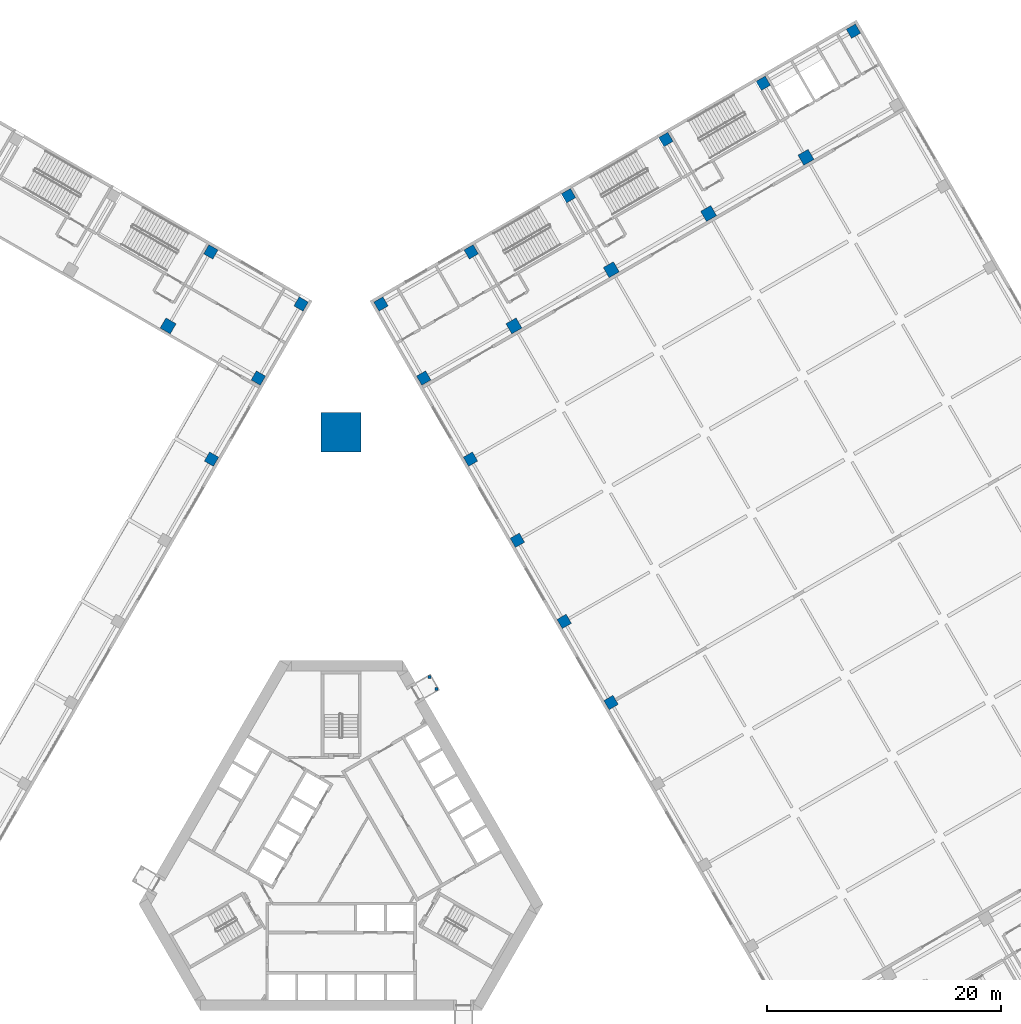
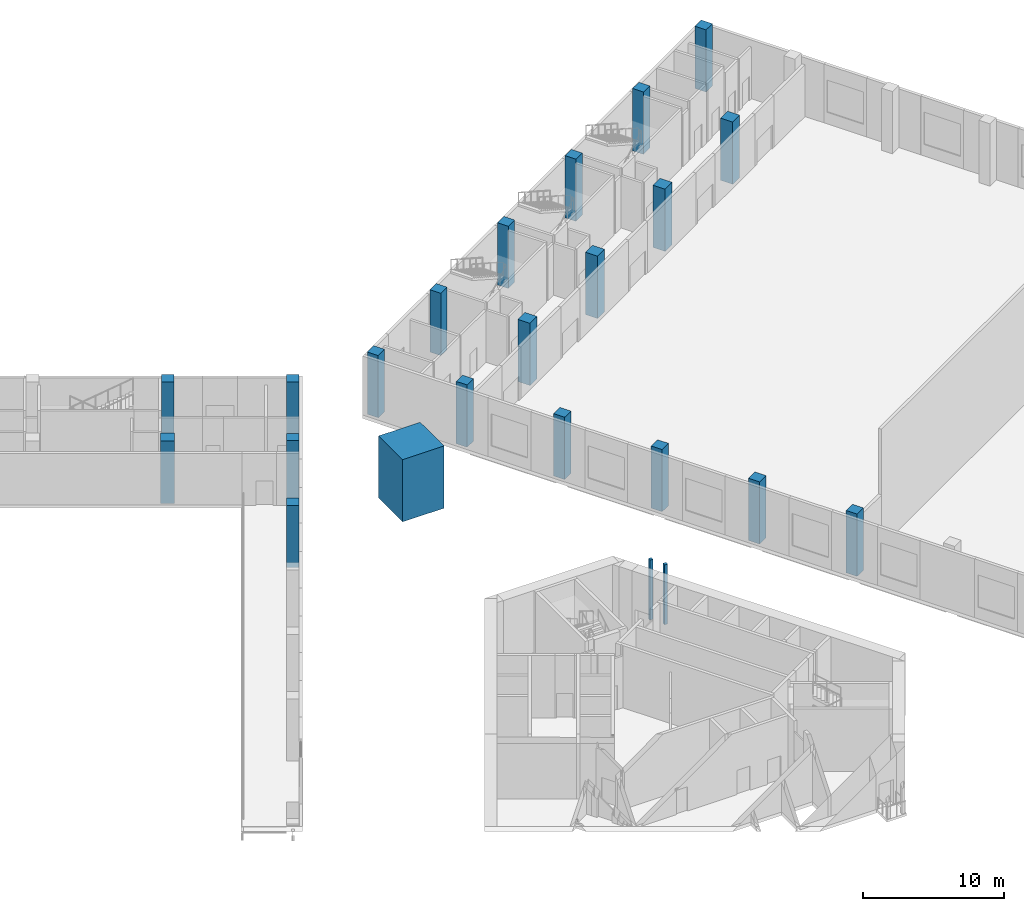
# One storey, part 4 of 35: 23 columns.
"""IFC4 building model written with IfcOpenShell, lengths in metres."""

from ifc_helpers import new_model, si_unit, direction, frame, origin, origin_2d, place, context, subcontext, project, spatial, rectangle, extrude, material, material_profile, profile_set, type_object, element, save


model = new_model("IFC4")

# Units and contexts
model_context = context("Model", 3, precision=1e-05, world=origin(), true_north=direction((0.0, 1.0)))
body_context = subcontext(model_context, "Body", "Model", "MODEL_VIEW")
ifc_project = project(units=[si_unit("LENGTHUNIT", "METRE"), si_unit("AREAUNIT", "SQUARE_METRE"), si_unit("VOLUMEUNIT", "CUBIC_METRE"), si_unit("PLANEANGLEUNIT", "RADIAN"), si_unit("MASSUNIT", "GRAM", prefix="KILO")], contexts=[model_context])

# Site, building, storey
site_placement = place(None, origin())
site = spatial("IfcSite", under=ifc_project, at=site_placement, CompositionType="ELEMENT")
building_placement = place(site_placement, origin())
building = spatial("IfcBuilding", under=site, at=building_placement, Name="Mestral Congress Tower", CompositionType="ELEMENT")
storey_placement = place(building_placement, frame((0.0, 0.0, 6.0)))
storey = spatial("IfcBuildingStorey", under=building, at=storey_placement, Name="L01", CompositionType="ELEMENT", Elevation=6.0)

# Columns
ifc_material_1 = material(Name="Concrete C80/95", Category="concrete")
ifc_material_profile_1 = material_profile(ifc_material_1, rectangle(XDim=3.39990234375, YDim=3.39990234375, at=origin_2d()), Name="RC 3400x3400")
ifc_profile_set_1 = profile_set([ifc_material_profile_1], Name="Concrete C80/95")
column_type_1 = type_object("IfcColumnType", Name="Mega column RC 3400x3400 C80/95", PredefinedType="COLUMN", material=ifc_profile_set_1)
column_placement = place(storey_placement, frame((0.0, 36.39892578125, 0.0), z_axis=(0.0, 0.0, 1.0), x_axis=(0.0, 1.0, 0.0)))
element("IfcColumn", 1, at=column_placement, inside=storey, type_object=column_type_1, Name="COL-L01-PY1-N", PredefinedType="COLUMN", context=body_context, shape_type="SweptSolid", body=[
    extrude(rectangle(XDim=3.39990234375, YDim=3.39990234375, at=origin_2d()), origin(), (0.0, 0.0, 1.0), 5.39990234375),
])
ifc_material_2 = material(Name="Concrete C60/75", Category="concrete")
ifc_material_profile_2 = material_profile(ifc_material_2, rectangle(XDim=1.0, YDim=1.0, at=origin_2d()), Name="RC 1000x1000")
ifc_profile_set_2 = profile_set([ifc_material_profile_2], Name="Concrete C60/75")
column_type_2 = type_object("IfcColumnType", Name="Podium column RC 1000x1000 C60/75", PredefinedType="COLUMN", material=ifc_profile_set_2)
for number, where, z_axis, x_axis, name in (
    (2, (14.76806640625, 45.476806640625, 0.0), (0.0, 0.0, 1.0), (-0.5, 0.866025403784, 0.0), "COL-L01-PC-E-10B"),
    (3, (23.08203125, 50.27685546875, 0.0), (0.0, 0.0, 1.0), (-0.5, 0.866025403784, 0.0), "COL-L01-PC-E-10C"),
    (4, (31.395751953125, 55.076904296875, 0.0), (0.0, 0.0, 1.0), (-0.5, 0.866025403784, 0.0), "COL-L01-PC-E-10D"),
    (5, (39.709716796875, 59.876708984375, 0.0), (0.0, 0.0, 1.0), (-0.5, 0.866025403784, 0.0), "COL-L01-PC-E-10E"),
    (6, (-14.76806640625, 45.476806640625, 0.0), (0.0, 0.0, 1.0), (-0.5, -0.866025403784, 0.0), "COL-L01-PC-W-02B"),
):
    element("IfcColumn", number, at=place(storey_placement, frame(where, z_axis=z_axis, x_axis=x_axis)), inside=storey, type_object=column_type_2, Name=name, PredefinedType="COLUMN", context=body_context, shape_type="SweptSolid", body=[
        extrude(rectangle(XDim=1.0, YDim=1.0, at=origin_2d()), origin(), (0.0, 0.0, 1.0), 5.39990234375),
    ])
ifc_material_3 = material(Name="Concrete C50/60", Category="concrete")
ifc_material_profile_3 = material_profile(ifc_material_3, rectangle(XDim=0.89990234375, YDim=0.89990234375, at=origin_2d()), Name="RC 900x900")
ifc_profile_set_3 = profile_set([ifc_material_profile_3], Name="Concrete C50/60")
column_type_3 = type_object("IfcColumnType", Name="Podium column RC 900x900 C50/60", PredefinedType="COLUMN", material=ifc_profile_set_3)
for number, where, z_axis, x_axis, name in (
    (7, (23.060546875, 13.31396484375, 0.0), (0.0, 0.0, 1.0), (-0.5, 0.866025403784, 0.0), "COL-L01-PC-E-06A"),
    (8, (19.060546875, 20.2421875, 0.0), (0.0, 0.0, 1.0), (-0.5, 0.866025403784, 0.0), "COL-L01-PC-E-07A"),
    (9, (15.060546875, 27.17041015625, 0.0), (0.0, 0.0, 1.0), (-0.5, 0.866025403784, 0.0), "COL-L01-PC-E-08A"),
    (10, (11.060546875, 34.0986328125, 0.0), (0.0, 0.0, 1.0), (-0.5, 0.866025403784, 0.0), "COL-L01-PC-E-09A"),
    (11, (7.060546875, 41.02685546875, 0.0), (0.0, 0.0, 1.0), (-0.5, 0.866025403784, 0.0), "COL-L01-PC-E-10A"),
    (12, (3.410400390625, 47.348876953125, 0.0), (0.0, 0.0, 1.0), (-0.5, 0.866025403784, 0.0), "COL-L01-PC-E-11A"),
    (13, (11.1181640625, 51.798828125, 0.0), (0.0, 0.0, 1.0), (-0.5, 0.866025403784, 0.0), "COL-L01-PC-E-11B"),
    (14, (19.431884765625, 56.598876953125, 0.0), (0.0, 0.0, 1.0), (-0.5, 0.866025403784, 0.0), "COL-L01-PC-E-11C"),
    (15, (27.745849609375, 61.398681640625, 0.0), (0.0, 0.0, 1.0), (-0.5, 0.866025403784, 0.0), "COL-L01-PC-E-11D"),
    (16, (36.059814453125, 66.19873046875, 0.0), (0.0, 0.0, 1.0), (-0.5, 0.866025403784, 0.0), "COL-L01-PC-E-11E"),
    (17, (43.767333984375, 70.648681640625, 0.0), (0.0, 0.0, 1.0), (-0.5, 0.866025403784, 0.0), "COL-L01-PC-E-11F"),
    (18, (-3.410400390625, 47.348876953125, 0.0), (0.0, 0.0, 1.0), (-0.5, -0.866025403784, 0.0), "COL-L01-PC-W-01A"),
    (19, (-11.1181640625, 51.798828125, 0.0), (0.0, 0.0, 1.0), (-0.5, -0.866025403784, 0.0), "COL-L01-PC-W-01B"),
    (20, (-7.060546875, 41.02685546875, 0.0), (0.0, 0.0, 1.0), (-0.5, -0.866025403784, 0.0), "COL-L01-PC-W-02A"),
    (21, (-11.060546875, 34.0986328125, 0.0), (0.0, 0.0, 1.0), (-0.5, -0.866025403784, 0.0), "COL-L01-PC-W-03A"),
):
    element("IfcColumn", number, at=place(storey_placement, frame(where, z_axis=z_axis, x_axis=x_axis)), inside=storey, type_object=column_type_3, Name=name, PredefinedType="COLUMN", context=body_context, shape_type="SweptSolid", body=[
        extrude(rectangle(XDim=0.89990234375, YDim=0.89990234375, at=origin_2d()), origin(), (0.0, 0.0, 1.0), 5.39990234375),
    ])
ifc_material_4 = material(Name="Concrete C40/50", Category="concrete")
ifc_material_profile_4 = material_profile(ifc_material_4, rectangle(XDim=0.25, YDim=0.25, at=origin_2d()), Name="RC 250x250")
ifc_profile_set_4 = profile_set([ifc_material_profile_4], Name="Concrete C40/50")
column_type_4 = type_object("IfcColumnType", Name="Podium door landing column RC 250x250 C40/50", PredefinedType="COLUMN", material=ifc_profile_set_4)
for number, where, z_axis, x_axis, name in (
    (22, (8.16650390625, 14.455322265625, 0.0), (0.0, 0.0, 1.0), (1.0, 0.0, 0.0), "pd-dl-XD2-L02-C1-L01"),
    (23, (7.56640625, 15.49462890625, 0.0), (0.0, 0.0, 1.0), (1.0, 0.0, 0.0), "pd-dl-XD2-L02-C2-L01"),
):
    element("IfcColumn", number, at=place(storey_placement, frame(where, z_axis=z_axis, x_axis=x_axis)), inside=storey, type_object=column_type_4, Name=name, PredefinedType="COLUMN", context=body_context, shape_type="SweptSolid", body=[
        extrude(rectangle(XDim=0.25, YDim=0.25, at=origin_2d()), origin(), (0.0, 0.0, 1.0), 5.199951171875),
    ])

save(model, "model.ifc")
